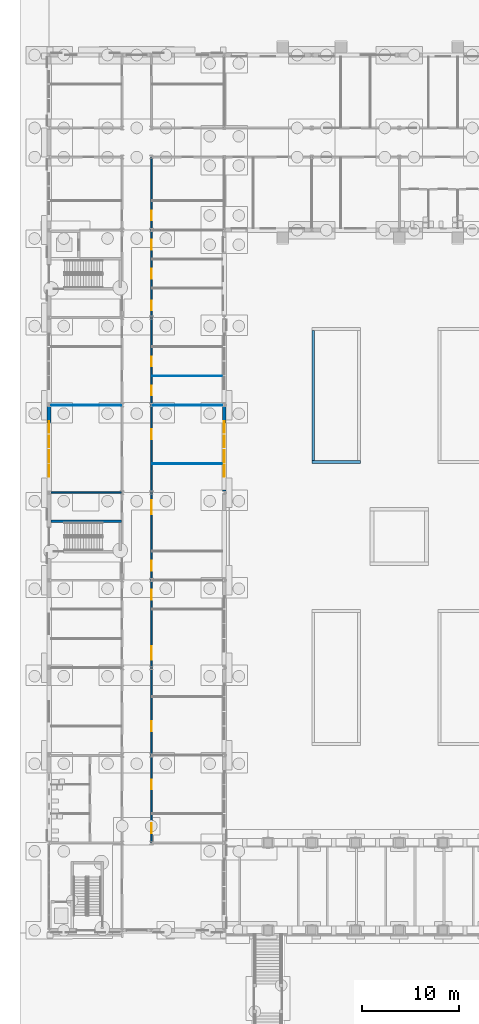
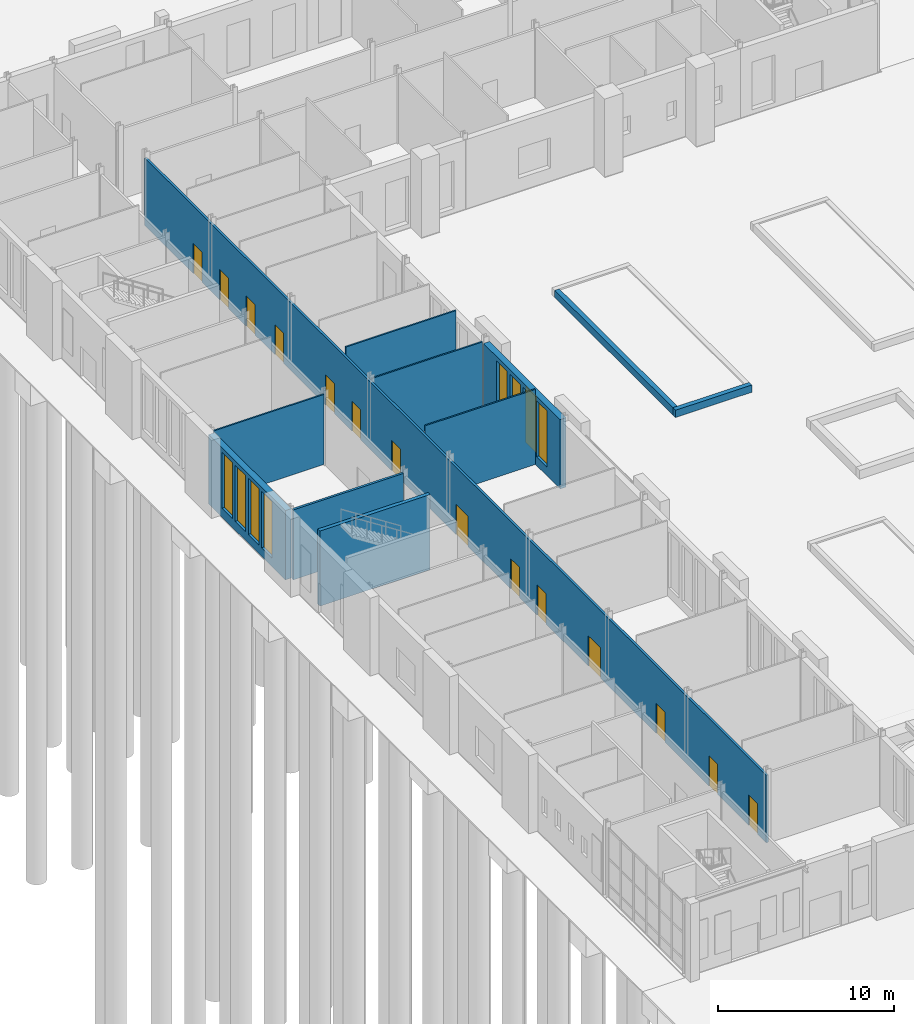
# One storey, part 91 of 168: 14 doors, 11 walls, 8 windows, 22 openings.
"""IFC4 building model written with IfcOpenShell, lengths in metres."""

from ifc_helpers import new_model, si_unit, direction, frame, frame_2d, origin, place, context, subcontext, project, spatial, rectangle, extrude, material, layer, layer_set, type_object, element, fill, save


model = new_model("IFC4")

# Units and contexts
model_context = context("Model", 3, precision=1e-05, world=origin(), true_north=direction((0.0, 1.0)))
body_context = subcontext(model_context, "Body", "Model", "MODEL_VIEW")
ifc_project = project(units=[si_unit("LENGTHUNIT", "METRE"), si_unit("AREAUNIT", "SQUARE_METRE"), si_unit("VOLUMEUNIT", "CUBIC_METRE"), si_unit("PLANEANGLEUNIT", "RADIAN"), si_unit("MASSUNIT", "GRAM", prefix="KILO")], contexts=[model_context])

# Site, building, storey
site_placement = place(None, origin())
site = spatial("IfcSite", under=ifc_project, at=site_placement, CompositionType="ELEMENT")
building_placement = place(site_placement, origin())
building = spatial("IfcBuilding", under=site, at=building_placement, Name="Golden Quay Civic Hall", CompositionType="ELEMENT")
storey_placement = place(building_placement, origin())
storey = spatial("IfcBuildingStorey", under=building, at=storey_placement, Name="L00", CompositionType="ELEMENT", Elevation=0.0)

# Walls
ifc_material_1 = material(Name="Brick, dark clay facing", Category="masonry")
ifc_layer_1 = layer(ifc_material_1, 0.300048828125)
ifc_layer_set_1 = layer_set([ifc_layer_1], Name="Brick planter wall 300")
wall_type_1 = type_object("IfcWallType", Name="Brick planter wall 300", PredefinedType="STANDARD", material=ifc_layer_set_1)
wall_1_placement = place(storey_placement, frame((27.0, 39.14990234375, 0.0), z_axis=(0.0, 0.0, 1.0), x_axis=(1.0, 0.0, 0.0)))
element("IfcWall", 1, at=wall_1_placement, inside=storey, type_object=wall_type_1, Name="Court planter West Court 2", PredefinedType="STANDARD", context=body_context, shape_type="SweptSolid", body=[
    extrude(rectangle(XDim=5.0, YDim=0.300048828125, at=frame_2d((2.5, 0.0))), origin(), (0.0, 0.0, 1.0), 0.5),
])
wall_2_placement = place(storey_placement, frame((27.14990234375, 39.300048828125, 0.0), z_axis=(0.0, 0.0, 1.0), x_axis=(0.0, 1.0, 0.0)))
element("IfcWall", 2, at=wall_2_placement, inside=storey, type_object=wall_type_1, Name="Court planter West Court 2", PredefinedType="STANDARD", context=body_context, shape_type="SweptSolid", body=[
    extrude(rectangle(XDim=13.39990234375, YDim=0.300048828125, at=frame_2d((6.699951171875, 0.0))), origin(), (0.0, 0.0, 1.0), 0.5),
])
ifc_material_2 = material(Name="Concrete C40/50", Category="concrete")
ifc_layer_2 = layer(ifc_material_2, 0.25)
ifc_layer_set_2 = layer_set([ifc_layer_2], Name="Concrete core wall 250, Concrete C40/50")
wall_type_2 = type_object("IfcWallType", Name="Concrete core wall 250", PredefinedType="SHEAR", material=ifc_layer_set_2)
wall_3_placement = place(storey_placement, frame((0.199951171875, 33.050048828125, 0.0), z_axis=(0.0, 0.0, 1.0), x_axis=(1.0, 0.0, 0.0)))
element("IfcWall", 3, at=wall_3_placement, inside=storey, type_object=wall_type_2, Name="Core wall WO-M-W2", PredefinedType="SHEAR", context=body_context, shape_type="SweptSolid", body=[
    extrude(rectangle(XDim=7.22509765625, YDim=0.25, at=frame_2d((3.612548828125, 0.0))), origin(), (0.0, 0.0, 1.0), 5.199951171875),
])
ifc_material_3 = material(Name="Plasterboard on steel studs", Category="steel")
ifc_layer_3 = layer(ifc_material_3, 0.10009765625)
ifc_layer_set_3 = layer_set([ifc_layer_3], Name="Partition 100 stud")
wall_type_3 = type_object("IfcWallType", Name="Partition 100 stud", PredefinedType="PARTITIONING", material=ifc_layer_set_3)
wall_4_placement = place(storey_placement, frame((0.199951171875, 45.0, 0.0), z_axis=(0.0, 0.0, 1.0), x_axis=(1.0, 0.0, 0.0)))
element("IfcWall", 4, at=wall_4_placement, inside=storey, type_object=wall_type_3, Name="Partition L00-007", PredefinedType="PARTITIONING", context=body_context, shape_type="SweptSolid", body=[
    extrude(rectangle(XDim=7.22509765625, YDim=0.10009765625, at=frame_2d((3.612548828125, 0.0))), origin(), (0.0, 0.0, 1.0), 4.85009765625),
])
wall_5_placement = place(storey_placement, frame((10.574951171875, 39.0, 0.0), z_axis=(0.0, 0.0, 1.0), x_axis=(1.0, 0.0, 0.0)))
element("IfcWall", 5, at=wall_5_placement, inside=storey, type_object=wall_type_3, Name="Partition L00-017", PredefinedType="PARTITIONING", context=body_context, shape_type="SweptSolid", body=[
    extrude(rectangle(XDim=7.22509765625, YDim=0.10009765625, at=frame_2d((3.612548828125, 0.0))), origin(), (0.0, 0.0, 1.0), 5.199951171875),
])
wall_6_placement = place(storey_placement, frame((10.574951171875, 45.0, 0.0), z_axis=(0.0, 0.0, 1.0), x_axis=(1.0, 0.0, 0.0)))
element("IfcWall", 6, at=wall_6_placement, inside=storey, type_object=wall_type_3, Name="Partition L00-018", PredefinedType="PARTITIONING", context=body_context, shape_type="SweptSolid", body=[
    extrude(rectangle(XDim=7.22509765625, YDim=0.10009765625, at=frame_2d((3.612548828125, 0.0))), origin(), (0.0, 0.0, 1.0), 4.85009765625),
])
wall_7_placement = place(storey_placement, frame((10.574951171875, 48.0, 0.0), z_axis=(0.0, 0.0, 1.0), x_axis=(1.0, 0.0, 0.0)))
element("IfcWall", 7, at=wall_7_placement, inside=storey, type_object=wall_type_3, Name="Partition L00-019", PredefinedType="PARTITIONING", context=body_context, shape_type="SweptSolid", body=[
    extrude(rectangle(XDim=7.22509765625, YDim=0.10009765625, at=frame_2d((3.612548828125, 0.0))), origin(), (0.0, 0.0, 1.0), 5.199951171875),
])
ifc_material_4 = material(Name="Plasterboard on steel studs", Category="steel")
ifc_layer_4 = layer(ifc_material_4, 0.14990234375)
ifc_layer_set_4 = layer_set([ifc_layer_4], Name="Partition 150 stud fire EI 60")
wall_type_4 = type_object("IfcWallType", Name="Partition 150 stud fire EI 60", PredefinedType="PARTITIONING", material=ifc_layer_set_4)
wall_8_placement = place(storey_placement, frame((0.199951171875, 36.0, 0.0), z_axis=(0.0, 0.0, 1.0), x_axis=(1.0, 0.0, 0.0)))
element("IfcWall", 8, at=wall_8_placement, inside=storey, type_object=wall_type_4, Name="Partition L00-006", PredefinedType="PARTITIONING", context=body_context, shape_type="SweptSolid", body=[
    extrude(rectangle(XDim=7.22509765625, YDim=0.14990234375, at=frame_2d((3.612548828125, 0.0))), origin(), (0.0, 0.0, 1.0), 4.85009765625),
])

# Wall, openings, doors
wall_9_placement = place(storey_placement, frame((10.5, 0.0, 0.0), z_axis=(0.0, 0.0, 1.0), x_axis=(0.0, 1.0, 0.0)))
wall_9 = element("IfcWall", 9, at=wall_9_placement, inside=storey, type_object=wall_type_4, Name="Partition L00-027", PredefinedType="PARTITIONING", context=body_context, shape_type="SweptSolid", body=[
    extrude(rectangle(XDim=70.5, YDim=0.14990234375, at=frame_2d((35.25, 0.0))), origin(), (0.0, 0.0, 1.0), 4.679931640625),
])
opening_1_placement = place(wall_9_placement, frame((1.0, 0.0, 0.0)))
opening_1 = element("IfcOpeningElement", 10, at=opening_1_placement, cuts=wall_9, Name="Opening L00-D056", PredefinedType="OPENING", context=body_context, shape_type="SweptSolid", body=[
    extrude(rectangle(XDim=1.0, YDim=2.10009765625, at=frame_2d((0.5, 1.050048828125))), frame((0.0, 0.0849609375, 0.0), z_axis=(0.0, -1.0, 0.0), x_axis=(1.0, 0.0, 0.0)), (0.0, 0.0, 1.0), 0.169921875),
])
opening_2_placement = place(wall_9_placement, frame((5.5, 0.0, 0.0)))
opening_2 = element("IfcOpeningElement", 11, at=opening_2_placement, cuts=wall_9, Name="Opening L00-D057", PredefinedType="OPENING", context=body_context, shape_type="SweptSolid", body=[
    extrude(rectangle(XDim=1.0, YDim=2.10009765625, at=frame_2d((0.5, 1.050048828125))), frame((0.0, 0.0849609375, 0.0), z_axis=(0.0, -1.0, 0.0), x_axis=(1.0, 0.0, 0.0)), (0.0, 0.0, 1.0), 0.169921875),
])
opening_3_placement = place(wall_9_placement, frame((11.5, 0.0, 0.0)))
opening_3 = element("IfcOpeningElement", 12, at=opening_3_placement, cuts=wall_9, Name="Opening L00-D058", PredefinedType="OPENING", context=body_context, shape_type="SweptSolid", body=[
    extrude(rectangle(XDim=1.0, YDim=2.10009765625, at=frame_2d((0.5, 1.050048828125))), frame((0.0, 0.0849609375, 0.0), z_axis=(0.0, -1.0, 0.0), x_axis=(1.0, 0.0, 0.0)), (0.0, 0.0, 1.0), 0.169921875),
])
opening_4_placement = place(wall_9_placement, frame((18.800048828125, 0.0, 0.0)))
opening_4 = element("IfcOpeningElement", 13, at=opening_4_placement, cuts=wall_9, Name="Opening L00-D059", PredefinedType="OPENING", context=body_context, shape_type="SweptSolid", body=[
    extrude(rectangle(XDim=1.39990234375, YDim=2.10009765625, at=frame_2d((0.699951171875, 1.050048828125))), frame((0.0, 0.0849609375, 0.0), z_axis=(0.0, -1.0, 0.0), x_axis=(1.0, 0.0, 0.0)), (0.0, 0.0, 1.0), 0.169921875),
])
opening_5_placement = place(wall_9_placement, frame((25.0, 0.0, 0.0)))
opening_5 = element("IfcOpeningElement", 14, at=opening_5_placement, cuts=wall_9, Name="Opening L00-D060", PredefinedType="OPENING", context=body_context, shape_type="SweptSolid", body=[
    extrude(rectangle(XDim=1.0, YDim=2.10009765625, at=frame_2d((0.5, 1.050048828125))), frame((0.0, 0.0849609375, 0.0), z_axis=(0.0, -1.0, 0.0), x_axis=(1.0, 0.0, 0.0)), (0.0, 0.0, 1.0), 0.169921875),
])
opening_6_placement = place(wall_9_placement, frame((28.0, 0.0, 0.0)))
opening_6 = element("IfcOpeningElement", 15, at=opening_6_placement, cuts=wall_9, Name="Opening L00-D061", PredefinedType="OPENING", context=body_context, shape_type="SweptSolid", body=[
    extrude(rectangle(XDim=1.0, YDim=2.10009765625, at=frame_2d((0.5, 1.050048828125))), frame((0.0, 0.0849609375, 0.0), z_axis=(0.0, -1.0, 0.0), x_axis=(1.0, 0.0, 0.0)), (0.0, 0.0, 1.0), 0.169921875),
])
opening_7_placement = place(wall_9_placement, frame((33.800048828125, 0.0, 0.0)))
opening_7 = element("IfcOpeningElement", 16, at=opening_7_placement, cuts=wall_9, Name="Opening L00-D062", PredefinedType="OPENING", context=body_context, shape_type="SweptSolid", body=[
    extrude(rectangle(XDim=1.39990234375, YDim=2.10009765625, at=frame_2d((0.699951171875, 1.050048828125))), frame((0.0, 0.0849609375, 0.0), z_axis=(0.0, -1.0, 0.0), x_axis=(1.0, 0.0, 0.0)), (0.0, 0.0, 1.0), 0.169921875),
])
opening_8_placement = place(wall_9_placement, frame((41.5, 0.0, 0.0)))
opening_8 = element("IfcOpeningElement", 17, at=opening_8_placement, cuts=wall_9, Name="Opening L00-D063", PredefinedType="OPENING", context=body_context, shape_type="SweptSolid", body=[
    extrude(rectangle(XDim=1.0, YDim=2.10009765625, at=frame_2d((0.5, 1.050048828125))), frame((0.0, 0.0849609375, 0.0), z_axis=(0.0, -1.0, 0.0), x_axis=(1.0, 0.0, 0.0)), (0.0, 0.0, 1.0), 0.169921875),
])
opening_9_placement = place(wall_9_placement, frame((46.0, 0.0, 0.0)))
opening_9 = element("IfcOpeningElement", 18, at=opening_9_placement, cuts=wall_9, Name="Opening L00-D064", PredefinedType="OPENING", context=body_context, shape_type="SweptSolid", body=[
    extrude(rectangle(XDim=1.0, YDim=2.10009765625, at=frame_2d((0.5, 1.050048828125))), frame((0.0, 0.0849609375, 0.0), z_axis=(0.0, -1.0, 0.0), x_axis=(1.0, 0.0, 0.0)), (0.0, 0.0, 1.0), 0.169921875),
])
opening_10_placement = place(wall_9_placement, frame((49.0, 0.0, 0.0)))
opening_10 = element("IfcOpeningElement", 19, at=opening_10_placement, cuts=wall_9, Name="Opening L00-D065", PredefinedType="OPENING", context=body_context, shape_type="SweptSolid", body=[
    extrude(rectangle(XDim=1.0, YDim=2.10009765625, at=frame_2d((0.5, 1.050048828125))), frame((0.0, 0.0849609375, 0.0), z_axis=(0.0, -1.0, 0.0), x_axis=(1.0, 0.0, 0.0)), (0.0, 0.0, 1.0), 0.169921875),
])
opening_11_placement = place(wall_9_placement, frame((54.75, 0.0, 0.0)))
opening_11 = element("IfcOpeningElement", 20, at=opening_11_placement, cuts=wall_9, Name="Opening L00-D066", PredefinedType="OPENING", context=body_context, shape_type="SweptSolid", body=[
    extrude(rectangle(XDim=1.0, YDim=2.10009765625, at=frame_2d((0.5, 1.050048828125))), frame((0.0, 0.0849609375, 0.0), z_axis=(0.0, -1.0, 0.0), x_axis=(1.0, 0.0, 0.0)), (0.0, 0.0, 1.0), 0.169921875),
])
opening_12_placement = place(wall_9_placement, frame((58.0, 0.0, 0.0)))
opening_12 = element("IfcOpeningElement", 21, at=opening_12_placement, cuts=wall_9, Name="Opening L00-D067", PredefinedType="OPENING", context=body_context, shape_type="SweptSolid", body=[
    extrude(rectangle(XDim=1.0, YDim=2.10009765625, at=frame_2d((0.5, 1.050048828125))), frame((0.0, 0.0849609375, 0.0), z_axis=(0.0, -1.0, 0.0), x_axis=(1.0, 0.0, 0.0)), (0.0, 0.0, 1.0), 0.169921875),
])
opening_13_placement = place(wall_9_placement, frame((61.0, 0.0, 0.0)))
opening_13 = element("IfcOpeningElement", 22, at=opening_13_placement, cuts=wall_9, Name="Opening L00-D068", PredefinedType="OPENING", context=body_context, shape_type="SweptSolid", body=[
    extrude(rectangle(XDim=1.0, YDim=2.10009765625, at=frame_2d((0.5, 1.050048828125))), frame((0.0, 0.0849609375, 0.0), z_axis=(0.0, -1.0, 0.0), x_axis=(1.0, 0.0, 0.0)), (0.0, 0.0, 1.0), 0.169921875),
])
opening_14_placement = place(wall_9_placement, frame((64.0, 0.0, 0.0)))
opening_14 = element("IfcOpeningElement", 23, at=opening_14_placement, cuts=wall_9, Name="Opening L00-D083", PredefinedType="OPENING", context=body_context, shape_type="SweptSolid", body=[
    extrude(rectangle(XDim=1.0, YDim=2.10009765625, at=frame_2d((0.5, 1.050048828125))), frame((0.0, 0.0849609375, 0.0), z_axis=(0.0, -1.0, 0.0), x_axis=(1.0, 0.0, 0.0)), (0.0, 0.0, 1.0), 0.169921875),
])
ifc_material_5 = material(Name="Steel", Category="steel")
door_type_1 = type_object("IfcDoorType", Name="Steel double fire door FD30S 1400 x 2100", OperationType="DOUBLE_DOOR_SINGLE_SWING", PredefinedType="DOOR", material=ifc_material_5)
door_1_placement = place(opening_4_placement, frame((1.39990234375, 0.0, 0.0), z_axis=(0.0, 0.0, 1.0), x_axis=(-1.0, 0.0, 0.0)))
door_1 = element("IfcDoor", 24, at=door_1_placement, inside=storey, type_object=door_type_1, Name="Door L00-D059", OperationType="DOUBLE_DOOR_SINGLE_SWING", OverallHeight=2.10009765625, OverallWidth=1.39990234375, PredefinedType="DOOR", context=body_context, shape_type="SweptSolid", body=[
    extrude(rectangle(XDim=1.39990234375, YDim=2.10009765625, at=frame_2d((0.699951171875, 1.050048828125))), frame((0.0, 0.025146484375, 0.0), z_axis=(0.0, -1.0, 0.0), x_axis=(1.0, 0.0, 0.0)), (0.0, 0.0, 1.0), 0.050048828125),
])
fill(opening_4, door_1)
door_2_placement = place(opening_7_placement, frame((1.39990234375, 0.0, 0.0), z_axis=(0.0, 0.0, 1.0), x_axis=(-1.0, 0.0, 0.0)))
door_2 = element("IfcDoor", 25, at=door_2_placement, inside=storey, type_object=door_type_1, Name="Door L00-D062", OperationType="DOUBLE_DOOR_SINGLE_SWING", OverallHeight=2.10009765625, OverallWidth=1.39990234375, PredefinedType="DOOR", context=body_context, shape_type="SweptSolid", body=[
    extrude(rectangle(XDim=1.39990234375, YDim=2.10009765625, at=frame_2d((0.699951171875, 1.050048828125))), frame((0.0, 0.025146484375, 0.0), z_axis=(0.0, -1.0, 0.0), x_axis=(1.0, 0.0, 0.0)), (0.0, 0.0, 1.0), 0.050048828125),
])
fill(opening_7, door_2)
ifc_material_6 = material(Name="Steel", Category="steel")
door_type_2 = type_object("IfcDoorType", Name="Steel fire door FD30S 1000 x 2100", OperationType="SINGLE_SWING_LEFT", PredefinedType="DOOR", material=ifc_material_6)
door_3_placement = place(opening_1_placement, frame((1.0, 0.0, 0.0), z_axis=(0.0, 0.0, 1.0), x_axis=(-1.0, 0.0, 0.0)))
door_3 = element("IfcDoor", 26, at=door_3_placement, inside=storey, type_object=door_type_2, Name="Door L00-D056", OperationType="SINGLE_SWING_RIGHT", OverallHeight=2.10009765625, OverallWidth=1.0, PredefinedType="DOOR", context=body_context, shape_type="SweptSolid", body=[
    extrude(rectangle(XDim=1.0, YDim=2.10009765625, at=frame_2d((0.5, 1.050048828125))), frame((0.0, 0.025146484375, 0.0), z_axis=(0.0, -1.0, 0.0), x_axis=(1.0, 0.0, 0.0)), (0.0, 0.0, 1.0), 0.050048828125),
])
fill(opening_1, door_3)
door_4_placement = place(opening_2_placement, frame((1.0, 0.0, 0.0), z_axis=(0.0, 0.0, 1.0), x_axis=(-1.0, 0.0, 0.0)))
door_4 = element("IfcDoor", 27, at=door_4_placement, inside=storey, type_object=door_type_2, Name="Door L00-D057", OperationType="SINGLE_SWING_RIGHT", OverallHeight=2.10009765625, OverallWidth=1.0, PredefinedType="DOOR", context=body_context, shape_type="SweptSolid", body=[
    extrude(rectangle(XDim=1.0, YDim=2.10009765625, at=frame_2d((0.5, 1.050048828125))), frame((0.0, 0.025146484375, 0.0), z_axis=(0.0, -1.0, 0.0), x_axis=(1.0, 0.0, 0.0)), (0.0, 0.0, 1.0), 0.050048828125),
])
fill(opening_2, door_4)
door_5_placement = place(opening_3_placement, frame((1.0, 0.0, 0.0), z_axis=(0.0, 0.0, 1.0), x_axis=(-1.0, 0.0, 0.0)))
door_5 = element("IfcDoor", 28, at=door_5_placement, inside=storey, type_object=door_type_2, Name="Door L00-D058", OperationType="SINGLE_SWING_RIGHT", OverallHeight=2.10009765625, OverallWidth=1.0, PredefinedType="DOOR", context=body_context, shape_type="SweptSolid", body=[
    extrude(rectangle(XDim=1.0, YDim=2.10009765625, at=frame_2d((0.5, 1.050048828125))), frame((0.0, 0.025146484375, 0.0), z_axis=(0.0, -1.0, 0.0), x_axis=(1.0, 0.0, 0.0)), (0.0, 0.0, 1.0), 0.050048828125),
])
fill(opening_3, door_5)
door_6_placement = place(opening_5_placement, frame((1.0, 0.0, 0.0), z_axis=(0.0, 0.0, 1.0), x_axis=(-1.0, 0.0, 0.0)))
door_6 = element("IfcDoor", 29, at=door_6_placement, inside=storey, type_object=door_type_2, Name="Door L00-D060", OperationType="SINGLE_SWING_RIGHT", OverallHeight=2.10009765625, OverallWidth=1.0, PredefinedType="DOOR", context=body_context, shape_type="SweptSolid", body=[
    extrude(rectangle(XDim=1.0, YDim=2.10009765625, at=frame_2d((0.5, 1.050048828125))), frame((0.0, 0.025146484375, 0.0), z_axis=(0.0, -1.0, 0.0), x_axis=(1.0, 0.0, 0.0)), (0.0, 0.0, 1.0), 0.050048828125),
])
fill(opening_5, door_6)
door_7_placement = place(opening_6_placement, frame((1.0, 0.0, 0.0), z_axis=(0.0, 0.0, 1.0), x_axis=(-1.0, 0.0, 0.0)))
door_7 = element("IfcDoor", 30, at=door_7_placement, inside=storey, type_object=door_type_2, Name="Door L00-D061", OperationType="SINGLE_SWING_RIGHT", OverallHeight=2.10009765625, OverallWidth=1.0, PredefinedType="DOOR", context=body_context, shape_type="SweptSolid", body=[
    extrude(rectangle(XDim=1.0, YDim=2.10009765625, at=frame_2d((0.5, 1.050048828125))), frame((0.0, 0.025146484375, 0.0), z_axis=(0.0, -1.0, 0.0), x_axis=(1.0, 0.0, 0.0)), (0.0, 0.0, 1.0), 0.050048828125),
])
fill(opening_6, door_7)
door_8_placement = place(opening_8_placement, frame((1.0, 0.0, 0.0), z_axis=(0.0, 0.0, 1.0), x_axis=(-1.0, 0.0, 0.0)))
door_8 = element("IfcDoor", 31, at=door_8_placement, inside=storey, type_object=door_type_2, Name="Door L00-D063", OperationType="SINGLE_SWING_RIGHT", OverallHeight=2.10009765625, OverallWidth=1.0, PredefinedType="DOOR", context=body_context, shape_type="SweptSolid", body=[
    extrude(rectangle(XDim=1.0, YDim=2.10009765625, at=frame_2d((0.5, 1.050048828125))), frame((0.0, 0.025146484375, 0.0), z_axis=(0.0, -1.0, 0.0), x_axis=(1.0, 0.0, 0.0)), (0.0, 0.0, 1.0), 0.050048828125),
])
fill(opening_8, door_8)
door_9_placement = place(opening_9_placement, frame((1.0, 0.0, 0.0), z_axis=(0.0, 0.0, 1.0), x_axis=(-1.0, 0.0, 0.0)))
door_9 = element("IfcDoor", 32, at=door_9_placement, inside=storey, type_object=door_type_2, Name="Door L00-D064", OperationType="SINGLE_SWING_RIGHT", OverallHeight=2.10009765625, OverallWidth=1.0, PredefinedType="DOOR", context=body_context, shape_type="SweptSolid", body=[
    extrude(rectangle(XDim=1.0, YDim=2.10009765625, at=frame_2d((0.5, 1.050048828125))), frame((0.0, 0.025146484375, 0.0), z_axis=(0.0, -1.0, 0.0), x_axis=(1.0, 0.0, 0.0)), (0.0, 0.0, 1.0), 0.050048828125),
])
fill(opening_9, door_9)
door_10_placement = place(opening_10_placement, frame((1.0, 0.0, 0.0), z_axis=(0.0, 0.0, 1.0), x_axis=(-1.0, 0.0, 0.0)))
door_10 = element("IfcDoor", 33, at=door_10_placement, inside=storey, type_object=door_type_2, Name="Door L00-D065", OperationType="SINGLE_SWING_RIGHT", OverallHeight=2.10009765625, OverallWidth=1.0, PredefinedType="DOOR", context=body_context, shape_type="SweptSolid", body=[
    extrude(rectangle(XDim=1.0, YDim=2.10009765625, at=frame_2d((0.5, 1.050048828125))), frame((0.0, 0.025146484375, 0.0), z_axis=(0.0, -1.0, 0.0), x_axis=(1.0, 0.0, 0.0)), (0.0, 0.0, 1.0), 0.050048828125),
])
fill(opening_10, door_10)
door_11_placement = place(opening_11_placement, frame((1.0, 0.0, 0.0), z_axis=(0.0, 0.0, 1.0), x_axis=(-1.0, 0.0, 0.0)))
door_11 = element("IfcDoor", 34, at=door_11_placement, inside=storey, type_object=door_type_2, Name="Door L00-D066", OperationType="SINGLE_SWING_RIGHT", OverallHeight=2.10009765625, OverallWidth=1.0, PredefinedType="DOOR", context=body_context, shape_type="SweptSolid", body=[
    extrude(rectangle(XDim=1.0, YDim=2.10009765625, at=frame_2d((0.5, 1.050048828125))), frame((0.0, 0.025146484375, 0.0), z_axis=(0.0, -1.0, 0.0), x_axis=(1.0, 0.0, 0.0)), (0.0, 0.0, 1.0), 0.050048828125),
])
fill(opening_11, door_11)
door_12_placement = place(opening_12_placement, frame((1.0, 0.0, 0.0), z_axis=(0.0, 0.0, 1.0), x_axis=(-1.0, 0.0, 0.0)))
door_12 = element("IfcDoor", 35, at=door_12_placement, inside=storey, type_object=door_type_2, Name="Door L00-D067", OperationType="SINGLE_SWING_RIGHT", OverallHeight=2.10009765625, OverallWidth=1.0, PredefinedType="DOOR", context=body_context, shape_type="SweptSolid", body=[
    extrude(rectangle(XDim=1.0, YDim=2.10009765625, at=frame_2d((0.5, 1.050048828125))), frame((0.0, 0.025146484375, 0.0), z_axis=(0.0, -1.0, 0.0), x_axis=(1.0, 0.0, 0.0)), (0.0, 0.0, 1.0), 0.050048828125),
])
fill(opening_12, door_12)
door_13_placement = place(opening_13_placement, frame((1.0, 0.0, 0.0), z_axis=(0.0, 0.0, 1.0), x_axis=(-1.0, 0.0, 0.0)))
door_13 = element("IfcDoor", 36, at=door_13_placement, inside=storey, type_object=door_type_2, Name="Door L00-D068", OperationType="SINGLE_SWING_RIGHT", OverallHeight=2.10009765625, OverallWidth=1.0, PredefinedType="DOOR", context=body_context, shape_type="SweptSolid", body=[
    extrude(rectangle(XDim=1.0, YDim=2.10009765625, at=frame_2d((0.5, 1.050048828125))), frame((0.0, 0.025146484375, 0.0), z_axis=(0.0, -1.0, 0.0), x_axis=(1.0, 0.0, 0.0)), (0.0, 0.0, 1.0), 0.050048828125),
])
fill(opening_13, door_13)
door_14_placement = place(opening_14_placement, frame((1.0, 0.0, 0.0), z_axis=(0.0, 0.0, 1.0), x_axis=(-1.0, 0.0, 0.0)))
door_14 = element("IfcDoor", 37, at=door_14_placement, inside=storey, type_object=door_type_2, Name="Door L00-D083", OperationType="SINGLE_SWING_RIGHT", OverallHeight=2.10009765625, OverallWidth=1.0, PredefinedType="DOOR", context=body_context, shape_type="SweptSolid", body=[
    extrude(rectangle(XDim=1.0, YDim=2.10009765625, at=frame_2d((0.5, 1.050048828125))), frame((0.0, 0.025146484375, 0.0), z_axis=(0.0, -1.0, 0.0), x_axis=(1.0, 0.0, 0.0)), (0.0, 0.0, 1.0), 0.050048828125),
])
fill(opening_14, door_14)

# Wall, openings, windows
ifc_material_7 = material(Name="Clay block, rendered, cream")
ifc_layer_5 = layer(ifc_material_7, 0.39990234375)
ifc_layer_set_5 = layer_set([ifc_layer_5], Name="Rendered block external wall 400")
wall_type_5 = type_object("IfcWallType", Name="Rendered block external wall 400", PredefinedType="STANDARD", material=ifc_layer_set_5)
wall_10_placement = place(storey_placement, frame((0.0, 36.14990234375, 0.0), z_axis=(0.0, 0.0, 1.0), x_axis=(0.0, 1.0, 0.0)))
wall_10 = element("IfcWall", 38, at=wall_10_placement, inside=storey, type_object=wall_type_5, Name="Rendered block external wall 400 L00 4", PredefinedType="STANDARD", context=body_context, shape_type="SweptSolid", body=[
    extrude(rectangle(XDim=8.7001953125, YDim=0.39990234375, at=frame_2d((4.35009765625, 0.0))), origin(), (0.0, 0.0, 1.0), 4.800048828125),
])
opening_15_placement = place(wall_10_placement, frame((1.5, 0.0, 0.60009765625)))
opening_15 = element("IfcOpeningElement", 39, at=opening_15_placement, cuts=wall_10, Name="Opening WN3", PredefinedType="OPENING", context=body_context, shape_type="SweptSolid", body=[
    extrude(rectangle(XDim=1.199951171875, YDim=3.89990234375, at=frame_2d((0.60009765625, 1.949951171875))), frame((0.0, 0.2099609375, 0.0), z_axis=(0.0, -1.0, 0.0), x_axis=(1.0, 0.0, 0.0)), (0.0, 0.0, 1.0), 0.419921875),
])
opening_16_placement = place(wall_10_placement, frame((3.0, 0.0, 0.60009765625)))
opening_16 = element("IfcOpeningElement", 40, at=opening_16_placement, cuts=wall_10, Name="Opening WN3", PredefinedType="OPENING", context=body_context, shape_type="SweptSolid", body=[
    extrude(rectangle(XDim=1.199951171875, YDim=3.89990234375, at=frame_2d((0.60009765625, 1.949951171875))), frame((0.0, 0.2099609375, 0.0), z_axis=(0.0, -1.0, 0.0), x_axis=(1.0, 0.0, 0.0)), (0.0, 0.0, 1.0), 0.419921875),
])
opening_17_placement = place(wall_10_placement, frame((4.5, 0.0, 0.60009765625)))
opening_17 = element("IfcOpeningElement", 41, at=opening_17_placement, cuts=wall_10, Name="Opening WN3", PredefinedType="OPENING", context=body_context, shape_type="SweptSolid", body=[
    extrude(rectangle(XDim=1.199951171875, YDim=3.89990234375, at=frame_2d((0.60009765625, 1.949951171875))), frame((0.0, 0.2099609375, 0.0), z_axis=(0.0, -1.0, 0.0), x_axis=(1.0, 0.0, 0.0)), (0.0, 0.0, 1.0), 0.419921875),
])
opening_18_placement = place(wall_10_placement, frame((6.0, 0.0, 0.60009765625)))
opening_18 = element("IfcOpeningElement", 42, at=opening_18_placement, cuts=wall_10, Name="Opening WN3", PredefinedType="OPENING", context=body_context, shape_type="SweptSolid", body=[
    extrude(rectangle(XDim=1.199951171875, YDim=3.89990234375, at=frame_2d((0.60009765625, 1.949951171875))), frame((0.0, 0.2099609375, 0.0), z_axis=(0.0, -1.0, 0.0), x_axis=(1.0, 0.0, 0.0)), (0.0, 0.0, 1.0), 0.419921875),
])
ifc_material_8 = material(Name="Aluminium frame, double glazed", Category="aluminium")
window_type = type_object("IfcWindowType", Name="Golden grid window 1200 x 3900", PartitioningType="SINGLE_PANEL", PredefinedType="WINDOW", material=ifc_material_8)
window_1_placement = place(opening_15_placement, origin())
window_1 = element("IfcWindow", 43, at=window_1_placement, inside=storey, type_object=window_type, Name="Golden grid window 1200 x 3900 L00 1", OverallHeight=3.89990234375, OverallWidth=1.199951171875, PartitioningType="SINGLE_PANEL", PredefinedType="WINDOW", context=body_context, shape_type="SweptSolid", body=[
    extrude(rectangle(XDim=1.199951171875, YDim=3.89990234375, at=frame_2d((0.60009765625, 1.949951171875))), frame((0.0, 0.030029296875, 0.0), z_axis=(0.0, -1.0, 0.0), x_axis=(1.0, 0.0, 0.0)), (0.0, 0.0, 1.0), 0.06005859375),
])
fill(opening_15, window_1)
window_2_placement = place(opening_16_placement, origin())
window_2 = element("IfcWindow", 44, at=window_2_placement, inside=storey, type_object=window_type, Name="Golden grid window 1200 x 3900 L00 2", OverallHeight=3.89990234375, OverallWidth=1.199951171875, PartitioningType="SINGLE_PANEL", PredefinedType="WINDOW", context=body_context, shape_type="SweptSolid", body=[
    extrude(rectangle(XDim=1.199951171875, YDim=3.89990234375, at=frame_2d((0.60009765625, 1.949951171875))), frame((0.0, 0.030029296875, 0.0), z_axis=(0.0, -1.0, 0.0), x_axis=(1.0, 0.0, 0.0)), (0.0, 0.0, 1.0), 0.06005859375),
])
fill(opening_16, window_2)
window_3_placement = place(opening_17_placement, origin())
window_3 = element("IfcWindow", 45, at=window_3_placement, inside=storey, type_object=window_type, Name="Golden grid window 1200 x 3900 L00 3", OverallHeight=3.89990234375, OverallWidth=1.199951171875, PartitioningType="SINGLE_PANEL", PredefinedType="WINDOW", context=body_context, shape_type="SweptSolid", body=[
    extrude(rectangle(XDim=1.199951171875, YDim=3.89990234375, at=frame_2d((0.60009765625, 1.949951171875))), frame((0.0, 0.030029296875, 0.0), z_axis=(0.0, -1.0, 0.0), x_axis=(1.0, 0.0, 0.0)), (0.0, 0.0, 1.0), 0.06005859375),
])
fill(opening_17, window_3)
window_4_placement = place(opening_18_placement, origin())
window_4 = element("IfcWindow", 46, at=window_4_placement, inside=storey, type_object=window_type, Name="Golden grid window 1200 x 3900 L00 4", OverallHeight=3.89990234375, OverallWidth=1.199951171875, PartitioningType="SINGLE_PANEL", PredefinedType="WINDOW", context=body_context, shape_type="SweptSolid", body=[
    extrude(rectangle(XDim=1.199951171875, YDim=3.89990234375, at=frame_2d((0.60009765625, 1.949951171875))), frame((0.0, 0.030029296875, 0.0), z_axis=(0.0, -1.0, 0.0), x_axis=(1.0, 0.0, 0.0)), (0.0, 0.0, 1.0), 0.06005859375),
])
fill(opening_18, window_4)

wall_11_placement = place(storey_placement, frame((18.0, 44.85009765625, 0.0), z_axis=(0.0, 0.0, 1.0), x_axis=(0.0, -1.0, 0.0)))
wall_11 = element("IfcWall", 47, at=wall_11_placement, inside=storey, type_object=wall_type_5, Name="Rendered block external wall 400 L00 17", PredefinedType="STANDARD", context=body_context, shape_type="SweptSolid", body=[
    extrude(rectangle(XDim=8.7001953125, YDim=0.39990234375, at=frame_2d((4.35009765625, 0.0))), origin(), (0.0, 0.0, 1.0), 4.800048828125),
])
opening_19_placement = place(wall_11_placement, frame((6.0, 0.0, 0.60009765625)))
opening_19 = element("IfcOpeningElement", 48, at=opening_19_placement, cuts=wall_11, Name="Opening WN3", PredefinedType="OPENING", context=body_context, shape_type="SweptSolid", body=[
    extrude(rectangle(XDim=1.199951171875, YDim=3.89990234375, at=frame_2d((0.60009765625, 1.949951171875))), frame((0.0, 0.2099609375, 0.0), z_axis=(0.0, -1.0, 0.0), x_axis=(1.0, 0.0, 0.0)), (0.0, 0.0, 1.0), 0.419921875),
])
opening_20_placement = place(wall_11_placement, frame((4.5, 0.0, 0.60009765625)))
opening_20 = element("IfcOpeningElement", 49, at=opening_20_placement, cuts=wall_11, Name="Opening WN3", PredefinedType="OPENING", context=body_context, shape_type="SweptSolid", body=[
    extrude(rectangle(XDim=1.199951171875, YDim=3.89990234375, at=frame_2d((0.60009765625, 1.949951171875))), frame((0.0, 0.2099609375, 0.0), z_axis=(0.0, -1.0, 0.0), x_axis=(1.0, 0.0, 0.0)), (0.0, 0.0, 1.0), 0.419921875),
])
opening_21_placement = place(wall_11_placement, frame((3.0, 0.0, 0.60009765625)))
opening_21 = element("IfcOpeningElement", 50, at=opening_21_placement, cuts=wall_11, Name="Opening WN3", PredefinedType="OPENING", context=body_context, shape_type="SweptSolid", body=[
    extrude(rectangle(XDim=1.199951171875, YDim=3.89990234375, at=frame_2d((0.60009765625, 1.949951171875))), frame((0.0, 0.2099609375, 0.0), z_axis=(0.0, -1.0, 0.0), x_axis=(1.0, 0.0, 0.0)), (0.0, 0.0, 1.0), 0.419921875),
])
opening_22_placement = place(wall_11_placement, frame((1.5, 0.0, 0.60009765625)))
opening_22 = element("IfcOpeningElement", 51, at=opening_22_placement, cuts=wall_11, Name="Opening WN3", PredefinedType="OPENING", context=body_context, shape_type="SweptSolid", body=[
    extrude(rectangle(XDim=1.199951171875, YDim=3.89990234375, at=frame_2d((0.60009765625, 1.949951171875))), frame((0.0, 0.2099609375, 0.0), z_axis=(0.0, -1.0, 0.0), x_axis=(1.0, 0.0, 0.0)), (0.0, 0.0, 1.0), 0.419921875),
])
window_5_placement = place(opening_19_placement, origin())
window_5 = element("IfcWindow", 52, at=window_5_placement, inside=storey, type_object=window_type, Name="Golden grid window 1200 x 3900 L00 33", OverallHeight=3.89990234375, OverallWidth=1.199951171875, PartitioningType="SINGLE_PANEL", PredefinedType="WINDOW", context=body_context, shape_type="SweptSolid", body=[
    extrude(rectangle(XDim=1.199951171875, YDim=3.89990234375, at=frame_2d((0.60009765625, 1.949951171875))), frame((0.0, 0.030029296875, 0.0), z_axis=(0.0, -1.0, 0.0), x_axis=(1.0, 0.0, 0.0)), (0.0, 0.0, 1.0), 0.06005859375),
])
fill(opening_19, window_5)
window_6_placement = place(opening_20_placement, origin())
window_6 = element("IfcWindow", 53, at=window_6_placement, inside=storey, type_object=window_type, Name="Golden grid window 1200 x 3900 L00 34", OverallHeight=3.89990234375, OverallWidth=1.199951171875, PartitioningType="SINGLE_PANEL", PredefinedType="WINDOW", context=body_context, shape_type="SweptSolid", body=[
    extrude(rectangle(XDim=1.199951171875, YDim=3.89990234375, at=frame_2d((0.60009765625, 1.949951171875))), frame((0.0, 0.030029296875, 0.0), z_axis=(0.0, -1.0, 0.0), x_axis=(1.0, 0.0, 0.0)), (0.0, 0.0, 1.0), 0.06005859375),
])
fill(opening_20, window_6)
window_7_placement = place(opening_21_placement, origin())
window_7 = element("IfcWindow", 54, at=window_7_placement, inside=storey, type_object=window_type, Name="Golden grid window 1200 x 3900 L00 35", OverallHeight=3.89990234375, OverallWidth=1.199951171875, PartitioningType="SINGLE_PANEL", PredefinedType="WINDOW", context=body_context, shape_type="SweptSolid", body=[
    extrude(rectangle(XDim=1.199951171875, YDim=3.89990234375, at=frame_2d((0.60009765625, 1.949951171875))), frame((0.0, 0.030029296875, 0.0), z_axis=(0.0, -1.0, 0.0), x_axis=(1.0, 0.0, 0.0)), (0.0, 0.0, 1.0), 0.06005859375),
])
fill(opening_21, window_7)
window_8_placement = place(opening_22_placement, origin())
window_8 = element("IfcWindow", 55, at=window_8_placement, inside=storey, type_object=window_type, Name="Golden grid window 1200 x 3900 L00 36", OverallHeight=3.89990234375, OverallWidth=1.199951171875, PartitioningType="SINGLE_PANEL", PredefinedType="WINDOW", context=body_context, shape_type="SweptSolid", body=[
    extrude(rectangle(XDim=1.199951171875, YDim=3.89990234375, at=frame_2d((0.60009765625, 1.949951171875))), frame((0.0, 0.030029296875, 0.0), z_axis=(0.0, -1.0, 0.0), x_axis=(1.0, 0.0, 0.0)), (0.0, 0.0, 1.0), 0.06005859375),
])
fill(opening_22, window_8)

save(model, "model.ifc")
